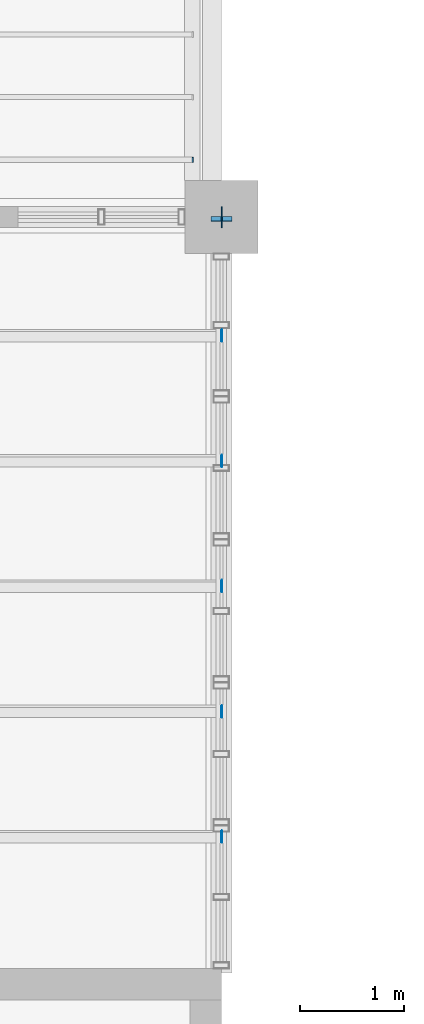
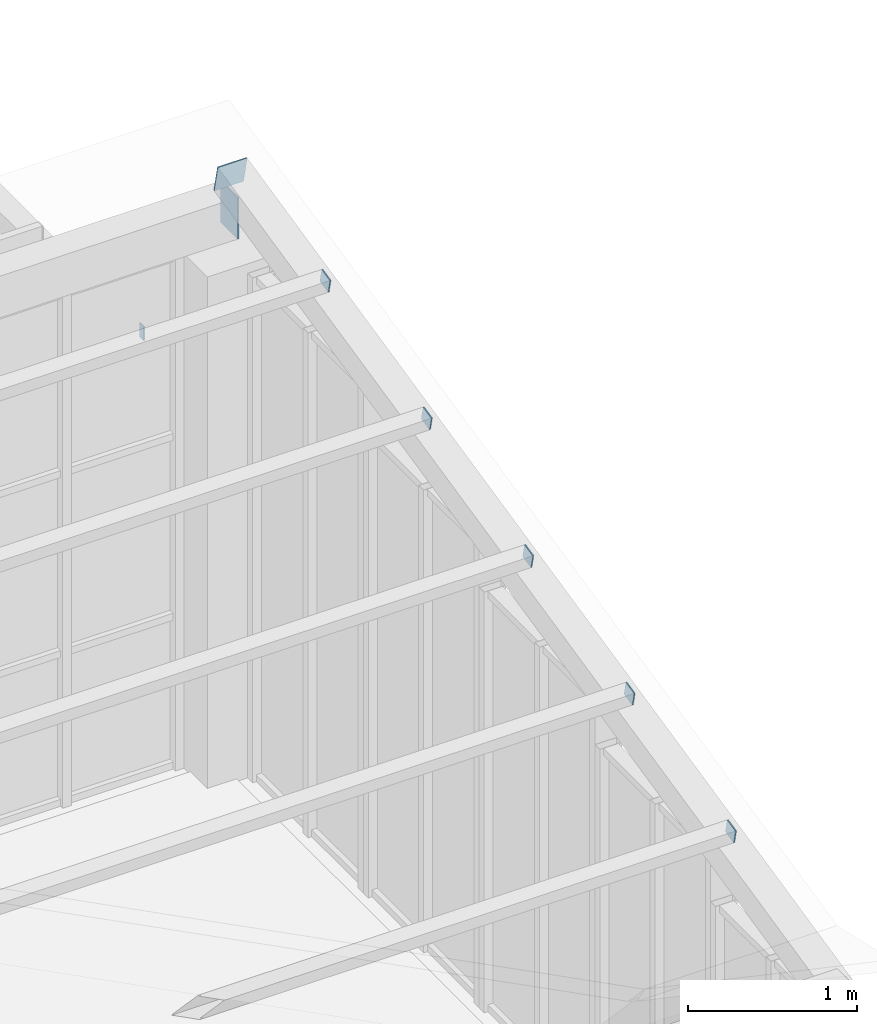
# One storey, part 45 of 51: 8 discrete accessories.
"""IFC4 building model written with IfcOpenShell, lengths in metres."""

from ifc_helpers import new_model, si_unit, direction, frame, origin, origin_2d, place, context, subcontext, project, spatial, rectangle, extrude, material, material_profile, profile_set, type_object, element, save


model = new_model("IFC4")

# Units and contexts
model_context = context("Model", 3, precision=1e-05, world=origin(), true_north=direction((0.0, 1.0)))
body_context = subcontext(model_context, "Body", "Model", "MODEL_VIEW")
ifc_project = project(units=[si_unit("LENGTHUNIT", "METRE"), si_unit("AREAUNIT", "SQUARE_METRE"), si_unit("VOLUMEUNIT", "CUBIC_METRE"), si_unit("PLANEANGLEUNIT", "RADIAN"), si_unit("MASSUNIT", "GRAM", prefix="KILO")], contexts=[model_context])

# Site, building, storey
site_placement = place(None, origin())
site = spatial("IfcSite", under=ifc_project, at=site_placement, CompositionType="ELEMENT")
building_placement = place(site_placement, origin())
building = spatial("IfcBuilding", under=site, at=building_placement, Name="Laocheng Heights Fire and Rescue Headquarters", CompositionType="ELEMENT")
storey_placement = place(building_placement, frame((0.0, 0.0, 21.0)))
storey = spatial("IfcBuildingStorey", under=building, at=storey_placement, Name="L05", CompositionType="ELEMENT", Elevation=21.0)

# Discrete accessories
ifc_material_1 = material(Name="Steel Q355B", Category="steel")
ifc_material_profile_1 = material_profile(ifc_material_1, rectangle(XDim=0.10009765625, YDim=0.10009765625, at=origin_2d()), Name="END CAP PLATE 100 x 100 x 8 FOR RHS 100x100x5 PURLIN")
ifc_profile_set_1 = profile_set([ifc_material_profile_1], Name="Steel Q355B")
discrete_accessory_type_1 = type_object("IfcDiscreteAccessoryType", Name="END CAP PLATE 100 x 100 x 8 FOR RHS 100x100x5 PURLIN", PredefinedType="BRACKET", material=ifc_profile_set_1)
for number, where, z_axis, x_axis, name in (
    (1, (108.0, 44.465087890625, 2.973876953125), (1.0, 0.0, 0.0), (0.0, 0.976187089372, 0.216930326473), "Cap plate at Butterfly purlin N 1.2 end 2"),
    (2, (108.0, 45.6650390625, 3.240478515625), (1.0, 0.0, 0.0), (0.0, 0.976187089372, 0.216930326473), "Cap plate at Butterfly purlin N 2.4 end 2"),
    (3, (108.0, 46.864990234375, 3.507080078125), (1.0, 0.0, 0.0), (0.0, 0.976187089372, 0.216930326473), "Cap plate at Butterfly purlin N 3.6 end 2"),
    (4, (108.0, 48.065185546875, 3.773681640625), (1.0, 0.0, 0.0), (0.0, 0.976187089372, 0.216930326473), "Cap plate at Butterfly purlin N 4.8 end 2"),
    (5, (108.0, 49.26513671875, 4.04052734375), (1.0, 0.0, 0.0), (0.0, 0.976187089372, 0.216930326473), "Cap plate at Butterfly purlin N 6 end 2"),
):
    element("IfcDiscreteAccessory", number, at=place(storey_placement, frame(where, z_axis=z_axis, x_axis=x_axis)), inside=storey, type_object=discrete_accessory_type_1, Name=name, PredefinedType="BRACKET", context=body_context, shape_type="SweptSolid", body=[
        extrude(rectangle(XDim=0.10009765625, YDim=0.10009765625, at=origin_2d()), origin(), (0.0, 0.0, 1.0), 0.008056640625),
    ])
ifc_material_2 = material(Name="Steel Q355B", Category="steel")
ifc_material_profile_2 = material_profile(ifc_material_2, rectangle(XDim=0.199951171875, YDim=0.199951171875, at=origin_2d()), Name="END CAP PLATE 200 x 200 x 8 FOR SHS 200x200x8 RAFTER")
ifc_profile_set_2 = profile_set([ifc_material_profile_2], Name="Steel Q355B")
discrete_accessory_type_2 = type_object("IfcDiscreteAccessoryType", Name="END CAP PLATE 200 x 200 x 8 FOR SHS 200x200x8 RAFTER", PredefinedType="BRACKET", material=ifc_profile_set_2)
discrete_accessory_1_placement = place(storey_placement, frame((108.0, 50.385986328125, 4.135986328125), z_axis=(0.0, -0.975441002068, -0.220260871435), x_axis=(1.0, 0.0, 0.0)))
element("IfcDiscreteAccessory", 6, at=discrete_accessory_1_placement, inside=storey, type_object=discrete_accessory_type_2, Name="Cap plate at Butterfly rafter N 108 end 1", PredefinedType="BRACKET", context=body_context, shape_type="SweptSolid", body=[
    extrude(rectangle(XDim=0.199951171875, YDim=0.199951171875, at=origin_2d()), origin(), (0.0, 0.0, 1.0), 0.0078125),
])
ifc_material_3 = material(Name="Steel Q355B", Category="steel")
ifc_material_profile_3 = material_profile(ifc_material_3, rectangle(XDim=0.199951171875, YDim=0.300048828125, at=origin_2d()), Name="END CAP PLATE 200 x 300 x 10 FOR RHS 300x200x10 EAVE BEAM")
ifc_profile_set_3 = profile_set([ifc_material_profile_3], Name="Steel Q355B")
discrete_accessory_type_3 = type_object("IfcDiscreteAccessoryType", Name="END CAP PLATE 200 x 300 x 10 FOR RHS 300x200x10 EAVE BEAM", PredefinedType="BRACKET", material=ifc_profile_set_3)
discrete_accessory_2_placement = place(storey_placement, frame((108.0, 50.39990234375, 3.864501953125), z_axis=(1.0, 0.0, 0.0), x_axis=(0.0, 1.0, 0.0)))
element("IfcDiscreteAccessory", 7, at=discrete_accessory_2_placement, inside=storey, type_object=discrete_accessory_type_3, Name="Cap plate at Butterfly eave beam N end 2", PredefinedType="BRACKET", context=body_context, shape_type="SweptSolid", body=[
    extrude(rectangle(XDim=0.199951171875, YDim=0.300048828125, at=origin_2d()), origin(), (0.0, 0.0, 1.0), 0.010009765625),
])
ifc_material_4 = material(Name="Steel Q355B", Category="steel")
ifc_material_profile_4 = material_profile(ifc_material_4, rectangle(XDim=0.050048828125, YDim=0.10009765625, at=origin_2d()), Name="END CAP PLATE 50 x 100 x 8 FOR STEEL TRELLIS JOIST RHS 100x50x4")
ifc_profile_set_4 = profile_set([ifc_material_profile_4], Name="Steel Q355B")
discrete_accessory_type_4 = type_object("IfcDiscreteAccessoryType", Name="END CAP PLATE 50 x 100 x 8 FOR STEEL TRELLIS JOIST RHS 100x50x4", PredefinedType="BRACKET", material=ifc_profile_set_4)
discrete_accessory_3_placement = place(storey_placement, frame((107.719970703125, 50.949951171875, 2.75), z_axis=(1.0, 0.0, 0.0), x_axis=(0.0, 1.0, 0.0)))
element("IfcDiscreteAccessory", 8, at=discrete_accessory_3_placement, inside=storey, type_object=discrete_accessory_type_4, Name="Cap plate at Trellis crew garden joist end 2", PredefinedType="BRACKET", context=body_context, shape_type="SweptSolid", body=[
    extrude(rectangle(XDim=0.050048828125, YDim=0.10009765625, at=origin_2d()), origin(), (0.0, 0.0, 1.0), 0.008056640625),
])

save(model, "model.ifc")
